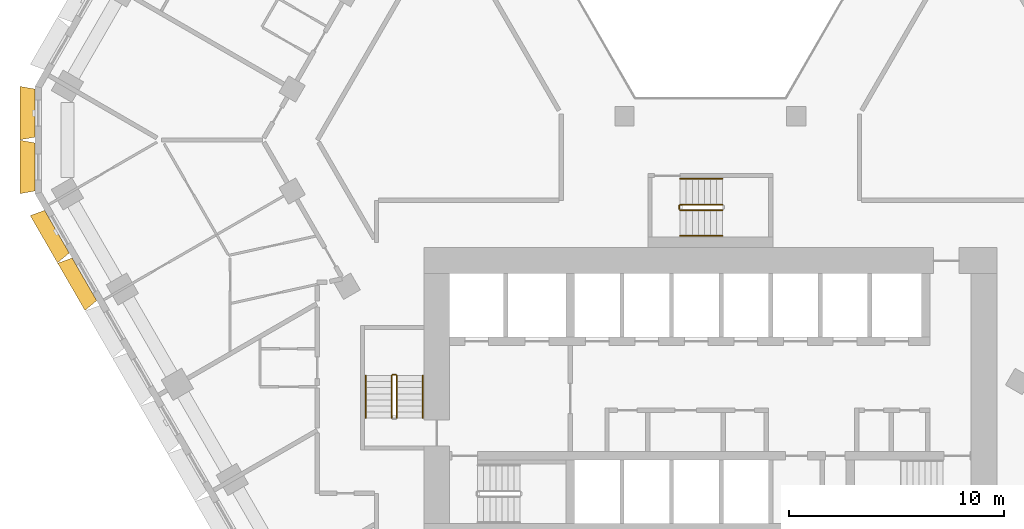
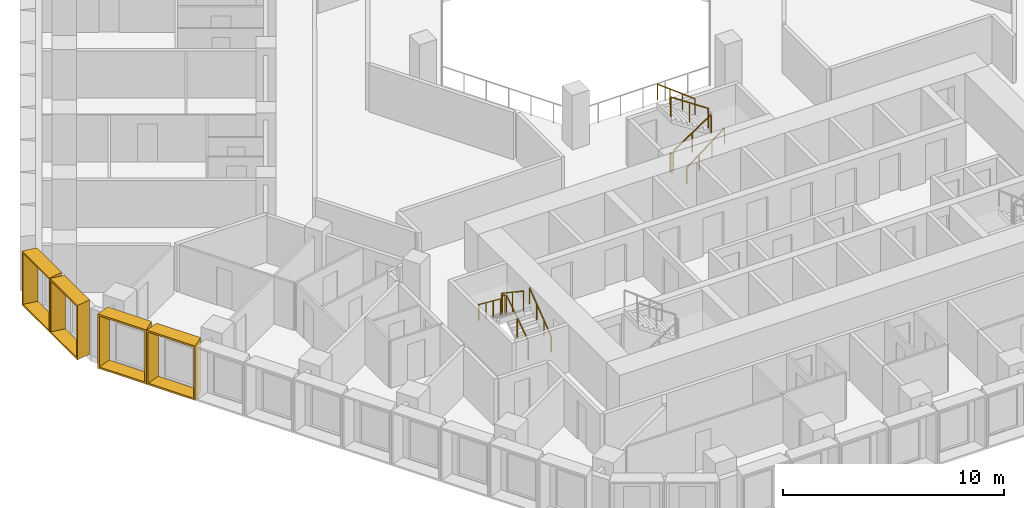
# One storey, part 19 of 21: 10 railings, 4 shading devices.
"""IFC4 building model written with IfcOpenShell, lengths in metres."""

from ifc_helpers import new_model, entity, si_unit, direction, frame, origin, origin_2d, place, context, subcontext, project, spatial, rectangle, extrude, source, transform, mapped, material, type_object, type_shapes, element, save


model = new_model("IFC4")

# Units and contexts
model_context = context("Model", 3, precision=1e-05, world=origin(), true_north=direction((0.0, 1.0)))
body_context = subcontext(model_context, "Body", "Model", "MODEL_VIEW")
ifc_project = project(units=[si_unit("LENGTHUNIT", "METRE"), si_unit("AREAUNIT", "SQUARE_METRE"), si_unit("VOLUMEUNIT", "CUBIC_METRE"), si_unit("PLANEANGLEUNIT", "RADIAN"), si_unit("MASSUNIT", "GRAM", prefix="KILO")], contexts=[model_context])

# Site, building, storey
site_placement = place(None, origin())
site = spatial("IfcSite", under=ifc_project, at=site_placement, CompositionType="ELEMENT")
building_placement = place(site_placement, origin())
building = spatial("IfcBuilding", under=site, at=building_placement, Name="Beryl Residences", CompositionType="ELEMENT")
storey_placement = place(building_placement, frame((0.0, 0.0, 59.39990234375)))
storey = spatial("IfcBuildingStorey", under=building, at=storey_placement, Name="L18", CompositionType="ELEMENT", Elevation=59.39990234375)

# Shading devices
ifc_material_1 = material(Name="Aluminium pale anodised", Category="aluminium")
shading_device_type_1 = type_object("IfcShadingDeviceType", Name="FR250-70A OUTER SKIN frame 700 mm deep, splay 10/10 deg, 2500 x 3000 mm cell", PredefinedType="USERDEFINED", material=ifc_material_1)
cartesian_point_1 = entity("IfcCartesianPoint", [-1.116455078125, 0.0])
cartesian_point_2 = entity("IfcCartesianPoint", [-1.03515625, 0.10009765625])
cartesian_point_3 = entity("IfcCartesianPoint", [-1.239990234375, 0.0])
cartesian_point_4 = entity("IfcCartesianPoint", [-1.15869140625, 0.10009765625])
shared_shape_1 = source(origin(), body_context, "Body", "SweptSolid", [
    entity("IfcExtrudedAreaSolidTapered", entity("IfcArbitraryProfileDefWithVoids", "AREA", None, entity("IfcPolyline", [cartesian_point_1, entity("IfcCartesianPoint", [1.116455078125, 0.0]), entity("IfcCartesianPoint", [1.116455078125, 3.0]), entity("IfcCartesianPoint", [-1.116455078125, 3.0]), cartesian_point_1]), [entity("IfcPolyline", [cartesian_point_2, entity("IfcCartesianPoint", [1.03515625, 0.10009765625]), entity("IfcCartesianPoint", [1.03515625, 2.89990234375]), entity("IfcCartesianPoint", [-1.03515625, 2.89990234375]), cartesian_point_2])]), entity("IfcAxis2Placement3D", entity("IfcCartesianPoint", [0.0, 0.0, 0.0]), entity("IfcDirection", [0.0, 1.0, 0.0]), entity("IfcDirection", [-1.0, 0.0, 0.0])), entity("IfcDirection", [0.0, 0.0, 1.0]), 0.699951171875, entity("IfcArbitraryProfileDefWithVoids", "AREA", None, entity("IfcPolyline", [cartesian_point_3, entity("IfcCartesianPoint", [1.239990234375, 0.0]), entity("IfcCartesianPoint", [1.239990234375, 3.0]), entity("IfcCartesianPoint", [-1.239990234375, 3.0]), cartesian_point_3]), [entity("IfcPolyline", [cartesian_point_4, entity("IfcCartesianPoint", [1.15869140625, 0.10009765625]), entity("IfcCartesianPoint", [1.15869140625, 2.89990234375]), entity("IfcCartesianPoint", [-1.15869140625, 2.89990234375]), cartesian_point_4])])),
])
type_shapes(shading_device_type_1, [shared_shape_1])
for number, where, z_axis, x_axis, name in (
    (1, (-31.35009765625, 1.25, 0.0), (0.0, 0.0, 1.0), (0.0, 1.0, 0.0), "FR250-70A frame L18 NW-SW 1"),
    (2, (-31.35009765625, -1.25, 0.0), (0.0, 0.0, 1.0), (0.0, 1.0, 0.0), "FR250-70A frame L18 NW-SW 2"),
):
    element("IfcShadingDevice", number, at=place(storey_placement, frame(where, z_axis=z_axis, x_axis=x_axis)), inside=storey, type_object=shading_device_type_1, Name=name, ObjectType="OUTER SKIN", PredefinedType="USERDEFINED", context=body_context, shape_type="MappedRepresentation", body=[
        mapped(shared_shape_1, transform((0.0, 0.0, 0.0))),
    ])
ifc_material_2 = material(Name="Aluminium pale anodised", Category="aluminium")
shading_device_type_2 = type_object("IfcShadingDeviceType", Name="FR255-70A OUTER SKIN frame 700 mm deep, splay 10/10 deg, 2550 x 3000 mm cell", PredefinedType="USERDEFINED", material=ifc_material_2)
cartesian_point_5 = entity("IfcCartesianPoint", [-1.1416015625, 0.0])
cartesian_point_6 = entity("IfcCartesianPoint", [-1.060302734375, 0.10009765625])
cartesian_point_7 = entity("IfcCartesianPoint", [-1.264892578125, 0.0])
cartesian_point_8 = entity("IfcCartesianPoint", [-1.18359375, 0.10009765625])
shared_shape_2 = source(origin(), body_context, "Body", "SweptSolid", [
    entity("IfcExtrudedAreaSolidTapered", entity("IfcArbitraryProfileDefWithVoids", "AREA", None, entity("IfcPolyline", [cartesian_point_5, entity("IfcCartesianPoint", [1.1416015625, 0.0]), entity("IfcCartesianPoint", [1.1416015625, 3.0]), entity("IfcCartesianPoint", [-1.1416015625, 3.0]), cartesian_point_5]), [entity("IfcPolyline", [cartesian_point_6, entity("IfcCartesianPoint", [1.060302734375, 0.10009765625]), entity("IfcCartesianPoint", [1.060302734375, 2.89990234375]), entity("IfcCartesianPoint", [-1.060302734375, 2.89990234375]), cartesian_point_6])]), entity("IfcAxis2Placement3D", entity("IfcCartesianPoint", [0.0, 0.0, 0.0]), entity("IfcDirection", [0.0, 1.0, 0.0]), entity("IfcDirection", [-1.0, 0.0, 0.0])), entity("IfcDirection", [0.0, 0.0, 1.0]), 0.699951171875, entity("IfcArbitraryProfileDefWithVoids", "AREA", None, entity("IfcPolyline", [cartesian_point_7, entity("IfcCartesianPoint", [1.264892578125, 0.0]), entity("IfcCartesianPoint", [1.264892578125, 3.0]), entity("IfcCartesianPoint", [-1.264892578125, 3.0]), cartesian_point_7]), [entity("IfcPolyline", [cartesian_point_8, entity("IfcCartesianPoint", [1.18359375, 0.10009765625]), entity("IfcCartesianPoint", [1.18359375, 2.89990234375]), entity("IfcCartesianPoint", [-1.18359375, 2.89990234375]), cartesian_point_8])])),
])
type_shapes(shading_device_type_2, [shared_shape_2])
for number, where, z_axis, x_axis, name in (
    (3, (-30.3359375, -4.2548828125, 0.0), (0.0, 0.0, 1.0), (-0.5, 0.866025403784, 0.0), "FR255-70A frame L18 SW 1"),
    (4, (-29.06005859375, -6.465087890625, 0.0), (0.0, 0.0, 1.0), (-0.5, 0.866025403784, 0.0), "FR255-70A frame L18 SW 2"),
):
    element("IfcShadingDevice", number, at=place(storey_placement, frame(where, z_axis=z_axis, x_axis=x_axis)), inside=storey, type_object=shading_device_type_2, Name=name, ObjectType="OUTER SKIN", PredefinedType="USERDEFINED", context=body_context, shape_type="MappedRepresentation", body=[
        mapped(shared_shape_2, transform((0.0, 0.0, 0.0))),
    ])

# Railings
ifc_material_3 = material(Name="Stainless steel balustrade with glass infill", Category="steel")
railing_type_1 = type_object("IfcRailingType", Name="SG1 stair guard 1100 mm", PredefinedType="GUARDRAIL", material=ifc_material_3)
railing_1_placement = place(storey_placement, frame((-14.550048828125, -12.89990234375, 0.1875)))
element("IfcRailing", 5, at=railing_1_placement, inside=storey, type_object=railing_type_1, Name="L18 ST-2 stair guard 1", PredefinedType="GUARDRAIL", context=body_context, shape_type="SweptSolid", body=[
    extrude(rectangle(XDim=0.048095703125, YDim=0.048095703125, at=origin_2d()), frame((0.0, 0.0, 1.076171875), z_axis=(0.0, 0.830902050051, 0.556418712142), x_axis=(-1.0, 0.0, 0.0)), (0.0, 0.0, 1.0), 2.35888671875),
    extrude(rectangle(XDim=0.0419921875, YDim=0.0419921875, at=origin_2d()), origin(), (0.0, 0.0, 1.0), 1.052001953125),
    extrude(rectangle(XDim=0.0419921875, YDim=0.0419921875, at=origin_2d()), frame((0.0, 0.97998046875, 0.65625)), (0.0, 0.0, 1.0), 1.052001953125),
    extrude(rectangle(XDim=0.0419921875, YDim=0.0419921875, at=origin_2d()), frame((0.0, 1.9599609375, 1.3125)), (0.0, 0.0, 1.0), 1.052001953125),
])
railing_2_placement = place(storey_placement, frame((-14.60009765625, -10.889892578125, 1.5)))
element("IfcRailing", 6, at=railing_2_placement, inside=storey, type_object=railing_type_1, Name="L18 ST-2 stair guard 2", PredefinedType="GUARDRAIL", context=body_context, shape_type="SweptSolid", body=[
    extrude(rectangle(XDim=0.048095703125, YDim=0.048095703125, at=origin_2d()), frame((0.0, 0.0, 1.076171875), z_axis=(-1.0, 0.0, 0.0), x_axis=(0.0, -1.0, 0.0)), (0.0, 0.0, 1.0), 0.14990234375),
    extrude(rectangle(XDim=0.0419921875, YDim=0.0419921875, at=origin_2d()), origin(), (0.0, 0.0, 1.0), 1.052001953125),
    extrude(rectangle(XDim=0.0419921875, YDim=0.0419921875, at=origin_2d()), frame((-0.14990234375, 0.0, 0.0)), (0.0, 0.0, 1.0), 1.052001953125),
])
railing_3_placement = place(storey_placement, frame((-14.800048828125, -10.93994140625, 1.6875)))
element("IfcRailing", 7, at=railing_3_placement, inside=storey, type_object=railing_type_1, Name="L18 ST-2 stair guard 3", PredefinedType="GUARDRAIL", context=body_context, shape_type="SweptSolid", body=[
    extrude(rectangle(XDim=0.048095703125, YDim=0.048095703125, at=origin_2d()), frame((0.0, 0.0, 1.076171875), z_axis=(0.0, -0.830902050051, 0.556418712142), x_axis=(1.0, 0.0, 0.0)), (0.0, 0.0, 1.0), 2.35888671875),
    extrude(rectangle(XDim=0.0419921875, YDim=0.0419921875, at=origin_2d()), origin(), (0.0, 0.0, 1.0), 1.052001953125),
    extrude(rectangle(XDim=0.0419921875, YDim=0.0419921875, at=origin_2d()), frame((0.0, -0.97998046875, 0.65625)), (0.0, 0.0, 1.0), 1.052001953125),
    extrude(rectangle(XDim=0.0419921875, YDim=0.0419921875, at=origin_2d()), frame((0.0, -1.9599609375, 1.3125)), (0.0, 0.0, 1.0), 1.052001953125),
])
railing_4_placement = place(storey_placement, frame((-1.39990234375, -3.25, 0.1875)))
element("IfcRailing", 8, at=railing_4_placement, inside=storey, type_object=railing_type_1, Name="L18 ST-4 stair guard 1", PredefinedType="GUARDRAIL", context=body_context, shape_type="SweptSolid", body=[
    extrude(rectangle(XDim=0.048095703125, YDim=0.048095703125, at=origin_2d()), frame((0.0, 0.0, 1.076171875), z_axis=(0.830902050051, 0.0, 0.556418712142), x_axis=(0.0, 1.0, 0.0)), (0.0, 0.0, 1.0), 2.35888671875),
    extrude(rectangle(XDim=0.0419921875, YDim=0.0419921875, at=origin_2d()), origin(), (0.0, 0.0, 1.0), 1.052001953125),
    extrude(rectangle(XDim=0.0419921875, YDim=0.0419921875, at=origin_2d()), frame((0.97998046875, 0.0, 0.65625)), (0.0, 0.0, 1.0), 1.052001953125),
    extrude(rectangle(XDim=0.0419921875, YDim=0.0419921875, at=origin_2d()), frame((1.9599609375, 0.0, 1.3125)), (0.0, 0.0, 1.0), 1.052001953125),
])
railing_5_placement = place(storey_placement, frame((0.56005859375, -3.0, 1.6875)))
element("IfcRailing", 9, at=railing_5_placement, inside=storey, type_object=railing_type_1, Name="L18 ST-4 stair guard 3", PredefinedType="GUARDRAIL", context=body_context, shape_type="SweptSolid", body=[
    extrude(rectangle(XDim=0.048095703125, YDim=0.048095703125, at=origin_2d()), frame((0.0, 0.0, 1.076171875), z_axis=(-0.830902050051, 0.0, 0.556418712142), x_axis=(0.0, -1.0, 0.0)), (0.0, 0.0, 1.0), 2.35888671875),
    extrude(rectangle(XDim=0.0419921875, YDim=0.0419921875, at=origin_2d()), origin(), (0.0, 0.0, 1.0), 1.052001953125),
    extrude(rectangle(XDim=0.0419921875, YDim=0.0419921875, at=origin_2d()), frame((-0.97998046875, 0.0, 0.65625)), (0.0, 0.0, 1.0), 1.052001953125),
    extrude(rectangle(XDim=0.0419921875, YDim=0.0419921875, at=origin_2d()), frame((-1.9599609375, 0.0, 1.3125)), (0.0, 0.0, 1.0), 1.052001953125),
])
railing_6_placement = place(storey_placement, frame((-1.449951171875, -3.199951171875, 0.0)))
element("IfcRailing", 10, at=railing_6_placement, inside=storey, type_object=railing_type_1, Name="L18 ST-4 stair guard 4", PredefinedType="GUARDRAIL", context=body_context, shape_type="SweptSolid", body=[
    extrude(rectangle(XDim=0.048095703125, YDim=0.048095703125, at=origin_2d()), frame((0.0, 0.0, 1.076171875), z_axis=(0.0, 1.0, 0.0), x_axis=(-1.0, 0.0, 0.0)), (0.0, 0.0, 1.0), 0.14990234375),
    extrude(rectangle(XDim=0.0419921875, YDim=0.0419921875, at=origin_2d()), origin(), (0.0, 0.0, 1.0), 1.052001953125),
    extrude(rectangle(XDim=0.0419921875, YDim=0.0419921875, at=origin_2d()), frame((0.0, 0.14990234375, 0.0)), (0.0, 0.0, 1.0), 1.052001953125),
])
ifc_material_4 = material(Name="Stainless steel handrail", Category="steel")
railing_type_2 = type_object("IfcRailingType", Name="SRL1 stair handrail 900 mm", PredefinedType="HANDRAIL", material=ifc_material_4)
railing_7_placement = place(storey_placement, frame((-13.35009765625, -12.89990234375, 0.1875)))
element("IfcRailing", 11, at=railing_7_placement, inside=storey, type_object=railing_type_2, Name="L18 ST-2 stair handrail 1", PredefinedType="HANDRAIL", context=body_context, shape_type="SweptSolid", body=[
    extrude(rectangle(XDim=0.048095703125, YDim=0.048095703125, at=origin_2d()), frame((0.0, 0.0, 0.8759765625), z_axis=(0.0, 0.794121922505, 0.607758481798), x_axis=(-1.0, 0.0, 0.0)), (0.0, 0.0, 1.0), 2.468017578125),
    extrude(rectangle(XDim=0.0419921875, YDim=0.0419921875, at=origin_2d()), origin(), (0.0, 0.0, 1.0), 0.851806640625),
    extrude(rectangle(XDim=0.0419921875, YDim=0.0419921875, at=origin_2d()), frame((0.0, 0.6533203125, 0.5)), (0.0, 0.0, 1.0), 0.851806640625),
    extrude(rectangle(XDim=0.0419921875, YDim=0.0419921875, at=origin_2d()), frame((0.0, 1.306640625, 1.0)), (0.0, 0.0, 1.0), 0.851806640625),
    extrude(rectangle(XDim=0.0419921875, YDim=0.0419921875, at=origin_2d()), frame((0.0, 1.9599609375, 1.5)), (0.0, 0.0, 1.0), 0.851806640625),
])
railing_8_placement = place(storey_placement, frame((-16.0, -10.93994140625, 1.6875)))
element("IfcRailing", 12, at=railing_8_placement, inside=storey, type_object=railing_type_2, Name="L18 ST-2 stair handrail 2", PredefinedType="HANDRAIL", context=body_context, shape_type="SweptSolid", body=[
    extrude(rectangle(XDim=0.048095703125, YDim=0.048095703125, at=origin_2d()), frame((0.0, 0.0, 0.8759765625), z_axis=(0.0, -0.794121922505, 0.607758481798), x_axis=(1.0, 0.0, 0.0)), (0.0, 0.0, 1.0), 2.468017578125),
    extrude(rectangle(XDim=0.0419921875, YDim=0.0419921875, at=origin_2d()), origin(), (0.0, 0.0, 1.0), 0.851806640625),
    extrude(rectangle(XDim=0.0419921875, YDim=0.0419921875, at=origin_2d()), frame((0.0, -0.6533203125, 0.5)), (0.0, 0.0, 1.0), 0.851806640625),
    extrude(rectangle(XDim=0.0419921875, YDim=0.0419921875, at=origin_2d()), frame((0.0, -1.306640625, 1.0)), (0.0, 0.0, 1.0), 0.851806640625),
    extrude(rectangle(XDim=0.0419921875, YDim=0.0419921875, at=origin_2d()), frame((0.0, -1.9599609375, 1.5)), (0.0, 0.0, 1.0), 0.851806640625),
])
railing_9_placement = place(storey_placement, frame((-1.39990234375, -4.449951171875, 0.1875)))
element("IfcRailing", 13, at=railing_9_placement, inside=storey, type_object=railing_type_2, Name="L18 ST-4 stair handrail 1", PredefinedType="HANDRAIL", context=body_context, shape_type="SweptSolid", body=[
    extrude(rectangle(XDim=0.048095703125, YDim=0.048095703125, at=origin_2d()), frame((0.0, 0.0, 0.8759765625), z_axis=(0.794121922505, 0.0, 0.607758481798), x_axis=(0.0, 1.0, 0.0)), (0.0, 0.0, 1.0), 2.468017578125),
    extrude(rectangle(XDim=0.0419921875, YDim=0.0419921875, at=origin_2d()), origin(), (0.0, 0.0, 1.0), 0.851806640625),
    extrude(rectangle(XDim=0.0419921875, YDim=0.0419921875, at=origin_2d()), frame((0.6533203125, 0.0, 0.5)), (0.0, 0.0, 1.0), 0.851806640625),
    extrude(rectangle(XDim=0.0419921875, YDim=0.0419921875, at=origin_2d()), frame((1.306640625, 0.0, 1.0)), (0.0, 0.0, 1.0), 0.851806640625),
    extrude(rectangle(XDim=0.0419921875, YDim=0.0419921875, at=origin_2d()), frame((1.9599609375, 0.0, 1.5)), (0.0, 0.0, 1.0), 0.851806640625),
])
railing_10_placement = place(storey_placement, frame((0.56005859375, -1.800048828125, 1.6875)))
element("IfcRailing", 14, at=railing_10_placement, inside=storey, type_object=railing_type_2, Name="L18 ST-4 stair handrail 2", PredefinedType="HANDRAIL", context=body_context, shape_type="SweptSolid", body=[
    extrude(rectangle(XDim=0.048095703125, YDim=0.048095703125, at=origin_2d()), frame((0.0, 0.0, 0.8759765625), z_axis=(-0.794121922505, 0.0, 0.607758481798), x_axis=(0.0, -1.0, 0.0)), (0.0, 0.0, 1.0), 2.468017578125),
    extrude(rectangle(XDim=0.0419921875, YDim=0.0419921875, at=origin_2d()), origin(), (0.0, 0.0, 1.0), 0.851806640625),
    extrude(rectangle(XDim=0.0419921875, YDim=0.0419921875, at=origin_2d()), frame((-0.6533203125, 0.0, 0.5)), (0.0, 0.0, 1.0), 0.851806640625),
    extrude(rectangle(XDim=0.0419921875, YDim=0.0419921875, at=origin_2d()), frame((-1.306640625, 0.0, 1.0)), (0.0, 0.0, 1.0), 0.851806640625),
    extrude(rectangle(XDim=0.0419921875, YDim=0.0419921875, at=origin_2d()), frame((-1.9599609375, 0.0, 1.5)), (0.0, 0.0, 1.0), 0.851806640625),
])

save(model, "model.ifc")
